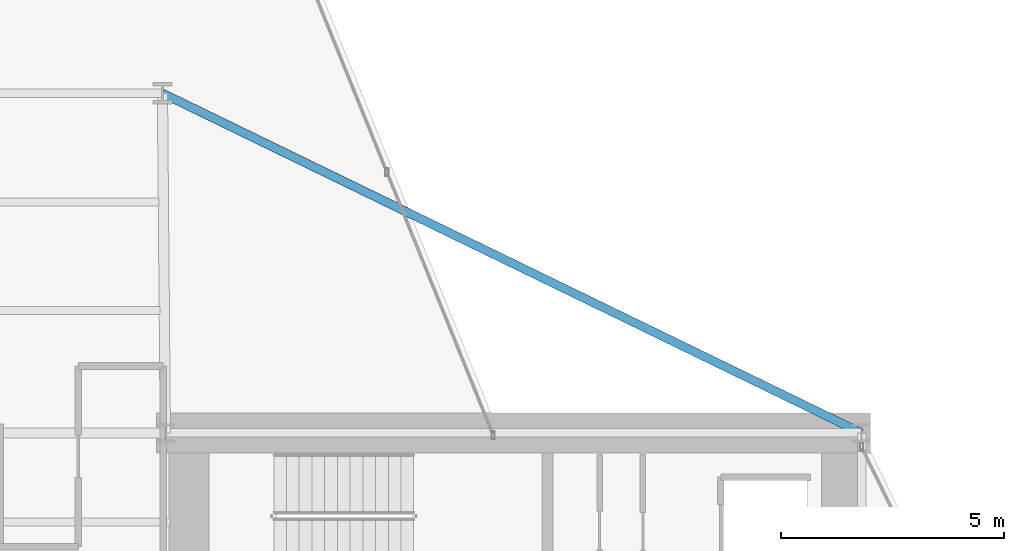
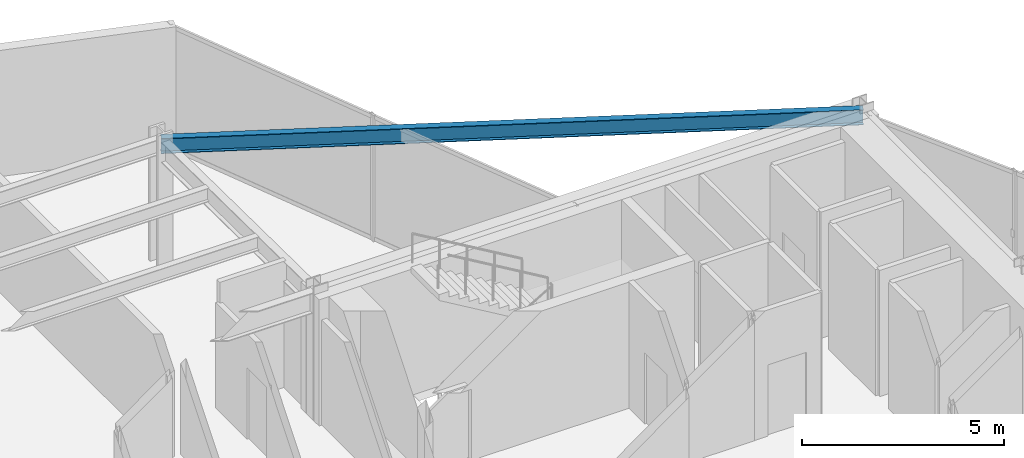
# One storey, part 22 of 30: 1 beam.
"""IFC4 building model written with IfcOpenShell, lengths in metres."""

import ifcopenshell
import ifcopenshell.guid

model = None  # the IFC model being written
_history = None  # IfcOwnerHistory: only IFC2X3 demands one
_inside = {}  # id of a spatial element -> (the spatial element, [elements in it])
_under = {}  # id of a project, library or spatial element -> (it, [spatial elements below it])
_declared = {}  # id of a project -> (the project, [libraries it declares])
_typed = {}  # id of a type object -> (the type object, [elements of that type])
_made_of = {}  # id of a material, layer set ... -> (it, [elements and type objects made of it])


def new_model(schema):
    """Start an empty IFC model of exactly this schema.

    Asked for "IFC4X3", IfcOpenShell would pick the latest addendum, in which some entities
    have other attributes; the version numbers below select the first issue.
    IFC2X3 requires an IfcOwnerHistory on every rooted entity: one is made here for all.
    """
    global model, _history
    if schema == "IFC4X3":
        model = ifcopenshell.file(schema_version=(4, 3, 0, 0))
    else:
        model = ifcopenshell.file(schema=schema)
    _inside.clear()
    _under.clear()
    _declared.clear()
    _typed.clear()
    _made_of.clear()
    _history = None
    if model.schema == "IFC2X3":
        org = make("IfcOrganization", Name="unknown")
        user = make(
            "IfcPersonAndOrganization",
            ThePerson=make("IfcPerson", FamilyName="unknown"),
            TheOrganization=org,
        )
        app = make(
            "IfcApplication",
            ApplicationDeveloper=org,
            Version="unknown",
            ApplicationFullName="unknown",
            ApplicationIdentifier="unknown",
        )
        _history = make(
            "IfcOwnerHistory",
            OwningUser=user,
            OwningApplication=app,
            ChangeAction="ADDED",
            CreationDate=0,
        )
    return model


def make(cls, **values):
    """One entity of the class cls with the attributes given. An attribute that is None is left unset."""
    return model.create_entity(
        cls, **{name: value for name, value in values.items() if value is not None}
    )


def rooted(cls, **values):
    """An entity with a GlobalId (a new one), such as an element, a storey or a relation."""
    return make(cls, GlobalId=ifcopenshell.guid.new(), OwnerHistory=_history, **values)


def si_unit(unit_type, name, prefix=None):
    """IfcSIUnit, for example si_unit("LENGTHUNIT", "METRE", prefix="MILLI")."""
    return make("IfcSIUnit", UnitType=unit_type, Prefix=prefix, Name=name)


def assignment(units):
    """IfcUnitAssignment: the units of a project."""
    return None if units is None else make("IfcUnitAssignment", Units=units)


def point(xyz):
    """IfcCartesianPoint."""
    return None if xyz is None else make("IfcCartesianPoint", Coordinates=xyz)


def direction(xyz):
    """IfcDirection."""
    return None if xyz is None else make("IfcDirection", DirectionRatios=xyz)


def frame(location, z_axis=None, x_axis=None):
    """IfcAxis2Placement3D, a coordinate frame: its origin and axes. An axis left out is left unset."""
    return make(
        "IfcAxis2Placement3D",
        Location=point(location),
        Axis=direction(z_axis),
        RefDirection=direction(x_axis),
    )


def frame_2d(location, x_axis=None):
    """IfcAxis2Placement2D, a coordinate frame in the plane: its origin and x axis."""
    return make(
        "IfcAxis2Placement2D", Location=point(location), RefDirection=direction(x_axis)
    )


def origin():
    """The frame at (0, 0, 0) with its axes left unset."""
    return frame((0.0, 0.0, 0.0))


def origin_2d():
    """The frame at (0, 0) in the plane with its x axis left unset."""
    return frame_2d((0.0, 0.0))


def place(relative_to, where):
    """IfcLocalPlacement: puts the frame where relative to a parent placement (None: the world)."""
    return make(
        "IfcLocalPlacement", PlacementRelTo=relative_to, RelativePlacement=where
    )


def context(
    kind, dimensions, precision=None, world=None, true_north=None, identifier=None
):
    """IfcGeometricRepresentationContext, for example the 3D "Model" context."""
    return make(
        "IfcGeometricRepresentationContext",
        ContextIdentifier=identifier,
        ContextType=kind,
        CoordinateSpaceDimension=dimensions,
        Precision=precision,
        WorldCoordinateSystem=world,
        TrueNorth=true_north,
    )


def subcontext(parent, identifier, kind, view, scale=None):
    """IfcGeometricRepresentationSubContext, for example "Body" below "Model"."""
    return make(
        "IfcGeometricRepresentationSubContext",
        ContextIdentifier=identifier,
        ContextType=kind,
        ParentContext=parent,
        TargetScale=scale,
        TargetView=view,
    )


def project(units=None, contexts=None):
    """IfcProject with its units and contexts."""
    return rooted(
        "IfcProject",
        Name="project",
        RepresentationContexts=contexts,
        UnitsInContext=assignment(units),
    )


def spatial(cls, under=None, at=None, **own):
    """A site, building, storey or space (cls), placed at a placement, below another one or the project."""
    s = rooted(cls, ObjectPlacement=at, **own)
    if under is not None:
        _under.setdefault(under.id(), (under, []))[1].append(s)
    return s


def profile(cls, at=None, kind="AREA", **sizes):
    """A parametric profile (cls). Its sizes go by their IFC names, for example OverallWidth=200.0."""
    return make(cls, ProfileType=kind, Position=at, **sizes)


def i_section(**sizes):
    """IfcIShapeProfileDef."""
    return profile("IfcIShapeProfileDef", **sizes)


def extrude(swept, where, along, depth):
    """IfcExtrudedAreaSolid: the profile swept, set in the frame where, extruded along a direction by depth."""
    return make(
        "IfcExtrudedAreaSolid",
        SweptArea=swept,
        Position=where,
        ExtrudedDirection=direction(along),
        Depth=depth,
    )


def shape(context_of_items, identifier, shape_type, items):
    """IfcShapeRepresentation: the items that make up one representation, for example the "Body"."""
    return make(
        "IfcShapeRepresentation",
        ContextOfItems=context_of_items,
        RepresentationIdentifier=identifier,
        RepresentationType=shape_type,
        Items=items,
    )


def material(Name=None, Category=None):
    """IfcMaterial."""
    return make("IfcMaterial", Name=Name, Category=Category)


def material_profile(
    of_material, cross_section, Name=None, Category=None, Priority=None
):
    """IfcMaterialProfile: a cross section and its material."""
    return make(
        "IfcMaterialProfile",
        Name=Name,
        Material=of_material,
        Profile=cross_section,
        Priority=Priority,
        Category=Category,
    )


def profile_set(profiles, Name=None, composite=None):
    """IfcMaterialProfileSet."""
    return make(
        "IfcMaterialProfileSet",
        Name=Name,
        MaterialProfiles=profiles,
        CompositeProfile=composite,
    )


def made_of(thing, what):
    """Note that an element or type object is made of a material, layer set ...; save() writes the relation."""
    if what is not None:
        _made_of.setdefault(what.id(), (what, []))[1].append(thing)
    return thing


def type_object(cls, material=None, **own):
    """A type object (cls), such as IfcWallType, which elements share."""
    return made_of(rooted(cls, **own), material)


def element(
    cls,
    number,
    at=None,
    inside=None,
    cuts=None,
    type_object=None,
    material=None,
    context=None,
    identifier="Body",
    shape_type=None,
    held_by="IfcProductDefinitionShape",
    body=None,
    shapes=None,
    **own,
):
    """One element of the class cls, such as IfcWall. Its Tag is "e" and its number.

    at: its placement. inside: the storey or other place that contains it. cuts: it is an
    opening in that element (IfcRelVoidsElement). A single representation is given by context,
    identifier, shape_type and body (its items); several are given by shapes. held_by: the class
    of the entity that holds the representations. save() writes the other relations.
    """
    e = rooted(cls, Tag="e%d" % number, ObjectPlacement=at, **own)
    if body is not None:
        shapes = [shape(context, identifier, shape_type, body)]
    if shapes is not None:
        e.Representation = make(held_by, Representations=shapes)
    if inside is not None:
        _inside.setdefault(inside.id(), (inside, []))[1].append(e)
    if cuts is not None:
        rooted(
            "IfcRelVoidsElement", RelatingBuildingElement=cuts, RelatedOpeningElement=e
        )
    if type_object is not None:
        _typed.setdefault(type_object.id(), (type_object, []))[1].append(e)
    return made_of(e, material)


def aggregate(whole, parts):
    """IfcRelAggregates: a whole, such as a stair, and the parts it consists of."""
    return rooted("IfcRelAggregates", RelatingObject=whole, RelatedObjects=parts)


def save(model, path):
    """Write the relations noted so far, then the file.

    IfcRelAggregates (storeys below a building ...), IfcRelContainedInSpatialStructure (elements
    in a storey), IfcRelDefinesByType, IfcRelAssociatesMaterial and IfcRelDeclares: one each for
    every whole, place, type object, material and project.
    """
    for whole, parts in _under.values():
        aggregate(whole, parts)
    for where, things in _inside.values():
        rooted(
            "IfcRelContainedInSpatialStructure",
            RelatedElements=things,
            RelatingStructure=where,
        )
    for kind, things in _typed.values():
        rooted("IfcRelDefinesByType", RelatedObjects=things, RelatingType=kind)
    for what, things in _made_of.values():
        rooted("IfcRelAssociatesMaterial", RelatedObjects=things, RelatingMaterial=what)
    for by, libraries in _declared.values():
        rooted("IfcRelDeclares", RelatingContext=by, RelatedDefinitions=libraries)
    model.write(path)


model = new_model("IFC4")

# Units and contexts
model_context = context("Model", 3, precision=1e-05, world=origin(), true_north=direction((0.0, 1.0)))
body_context = subcontext(model_context, "Body", "Model", "MODEL_VIEW")
ifc_project = project(units=[si_unit("LENGTHUNIT", "METRE"), si_unit("AREAUNIT", "SQUARE_METRE"), si_unit("VOLUMEUNIT", "CUBIC_METRE"), si_unit("PLANEANGLEUNIT", "RADIAN"), si_unit("MASSUNIT", "GRAM", prefix="KILO")], contexts=[model_context])

# Site, building, storey
site_placement = place(None, origin())
site = spatial("IfcSite", under=ifc_project, at=site_placement, CompositionType="ELEMENT")
building_placement = place(site_placement, origin())
building = spatial("IfcBuilding", under=site, at=building_placement, Name="Veymaron Broadcast Tower", CompositionType="ELEMENT")
storey_placement = place(building_placement, frame((0.0, 0.0, 66.14990234375)))
storey = spatial("IfcBuildingStorey", under=building, at=storey_placement, Name="L14", CompositionType="ELEMENT", Elevation=66.14990234375)

# Beam
ifc_material = material(Name="Structural steel ASTM A992 Gr 50", Category="steel")
ifc_material_profile = material_profile(ifc_material, i_section(OverallWidth=0.19091796875, OverallDepth=0.4599609375, WebThickness=0.010009765625, FlangeThickness=0.01611328125, at=origin_2d()), Name="W460X82")
ifc_profile_set = profile_set([ifc_material_profile], Name="Structural steel ASTM A992 Gr 50")
beam_type = type_object("IfcBeamType", Name="BM-SP1", PredefinedType="SPANDREL", material=ifc_profile_set)
beam_placement = place(storey_placement, frame((54.60009765625, 32.0, 3.580078125), z_axis=(-0.899477147295, 0.436967803727, 0.0), x_axis=(-0.436967803727, -0.899477147295, 0.0)))
element("IfcBeam", 1, at=beam_placement, inside=storey, type_object=beam_type, Name="L14 primary structural floor girder", PredefinedType="SPANDREL", context=body_context, shape_type="SweptSolid", body=[
    extrude(i_section(OverallWidth=0.19091796875, OverallDepth=0.4599609375, WebThickness=0.010009765625, FlangeThickness=0.01611328125, at=origin_2d()), origin(), (0.0, 0.0, 1.0), 17.415771484375),
])

save(model, "model.ifc")
